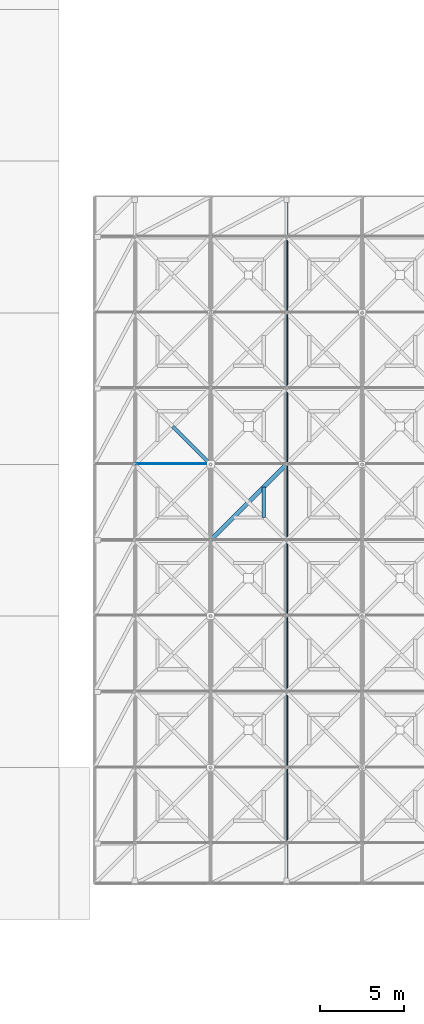
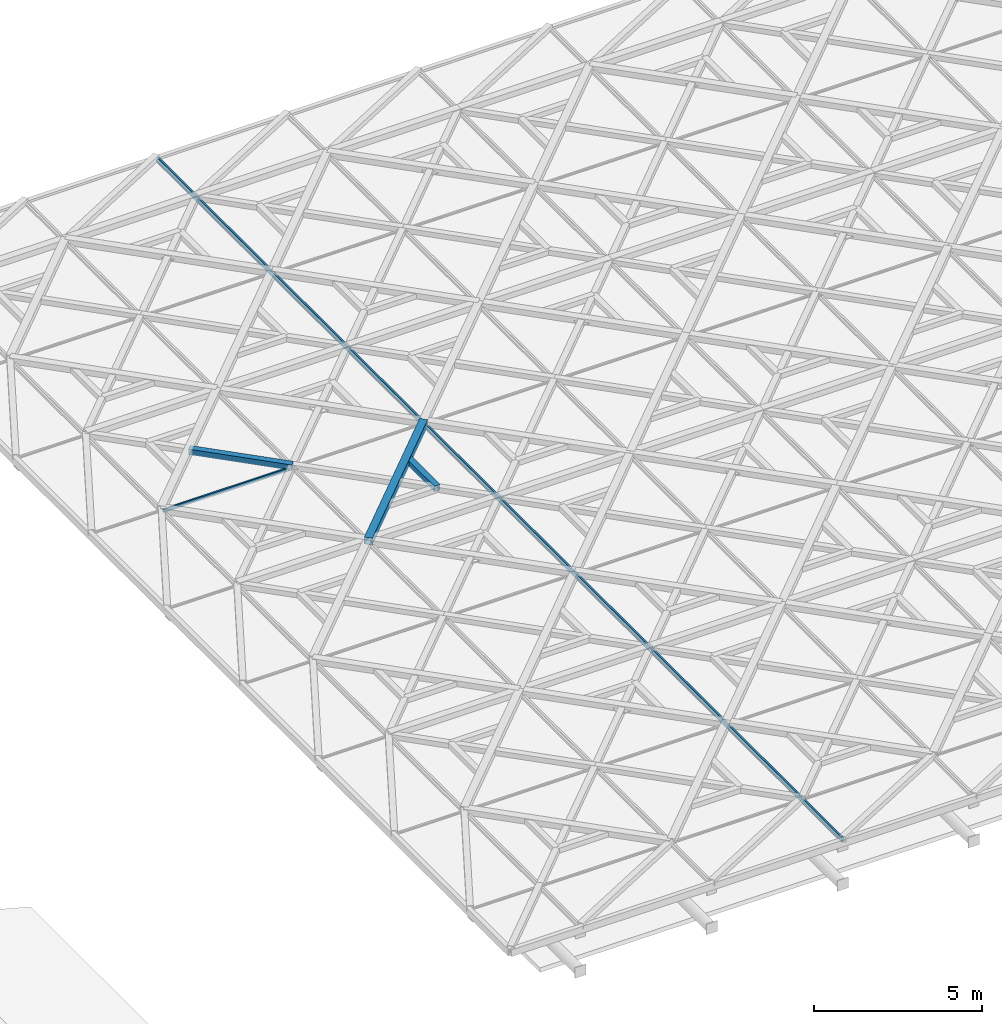
# One storey, part 13 of 80: 5 members, 2 elements without a shape of their own.
"""IFC4 building model written with IfcOpenShell, lengths in metres."""

from ifc_helpers import new_model, si_unit, direction, frame, origin, origin_2d, place, context, subcontext, project, spatial, rectangle, hollow_rectangle, extrude, material, material_profile, profile_set, type_object, element, aggregate, save


model = new_model("IFC4")

# Units and contexts
model_context = context("Model", 3, precision=1e-05, world=origin(), true_north=direction((0.0, 1.0)))
body_context = subcontext(model_context, "Body", "Model", "MODEL_VIEW")
ifc_project = project(units=[si_unit("LENGTHUNIT", "METRE"), si_unit("AREAUNIT", "SQUARE_METRE"), si_unit("VOLUMEUNIT", "CUBIC_METRE"), si_unit("PLANEANGLEUNIT", "RADIAN"), si_unit("MASSUNIT", "GRAM", prefix="KILO"), si_unit("THERMODYNAMICTEMPERATUREUNIT", "KELVIN"), si_unit("POWERUNIT", "WATT")], contexts=[model_context])

# Site, building, storey
site_placement = place(None, origin())
site = spatial("IfcSite", under=ifc_project, at=site_placement, CompositionType="ELEMENT")
building_placement = place(site_placement, origin())
building = spatial("IfcBuilding", under=site, at=building_placement, Name="Tallowbark Science Centre", CompositionType="ELEMENT")
storey_placement = place(building_placement, frame((0.0, 0.0, 25.949951171875)))
storey = spatial("IfcBuildingStorey", under=building, at=storey_placement, Name="ROOF", CompositionType="ELEMENT", Elevation=25.949951171875)

# Curtain wall, member
ifc_material_1 = material(Name="Blue-Tinted Laminated Low-E Skylight Glass", Category="glass")
curtain_wall_type = type_object("IfcCurtainWallType", Name="CW-SKY-ROOF", PredefinedType="NOTDEFINED", material=ifc_material_1)
curtain_wall_1_placement = place(storey_placement, origin())
curtain_wall_1 = element("IfcCurtainWall", 1, at=curtain_wall_1_placement, inside=storey, type_object=curtain_wall_type, Name="Exhibition Star-Screen Skylight Bay 4", PredefinedType="NOTDEFINED")
ifc_material_2 = material(Name="Anodised Architectural Aluminium Alloy 6063-T6", Category="aluminium")
ifc_material_profile_1 = material_profile(ifc_material_2, rectangle(XDim=0.06494140625, YDim=0.179931640625, at=origin_2d()), Name="ALU65x180")
ifc_profile_set_1 = profile_set([ifc_material_profile_1], Name="Anodised Architectural Aluminium Alloy 6063-T6")
member_type_1 = type_object("IfcMemberType", Name="CWM-SKY-MUL", PredefinedType="MULLION", material=ifc_profile_set_1)
member_1_placement = place(storey_placement, frame((67.5400390625, 2.14990234375, 0.35205078125), z_axis=(0.0, 1.0, 0.0), x_axis=(-1.0, 0.0, 0.0)))
member_1 = element("IfcMember", 2, at=member_1_placement, type_object=member_type_1, Name="Skylight Bay 4 Mullion W", PredefinedType="MULLION", context=body_context, shape_type="SweptSolid", body=[
    extrude(rectangle(XDim=0.06494140625, YDim=0.179931640625, at=origin_2d()), origin(), (0.0, 0.0, 1.0), 40.7001953125),
])
aggregate(curtain_wall_1, [member_1])

curtain_wall_2_placement = place(storey_placement, origin())
curtain_wall_2 = element("IfcCurtainWall", 3, at=curtain_wall_2_placement, inside=storey, type_object=curtain_wall_type, Name="Exhibition Star-Screen Skylight Bay 2", PredefinedType="NOTDEFINED")
ifc_material_profile_2 = material_profile(ifc_material_2, rectangle(XDim=0.054931640625, YDim=0.1201171875, at=origin_2d()), Name="ALU55x120")
ifc_profile_set_2 = profile_set([ifc_material_profile_2], Name="Anodised Architectural Aluminium Alloy 6063-T6")
member_type_2 = type_object("IfcMemberType", Name="CWM-SKY-TRN", PredefinedType="USERDEFINED", material=ifc_profile_set_2)
member_2_placement = place(storey_placement, frame((58.580078125, 27.0400390625, 0.35205078125), z_axis=(1.0, 0.0, 0.0), x_axis=(0.0, 1.0, 0.0)))
member_2 = element("IfcMember", 4, at=member_2_placement, type_object=member_type_2, Name="Skylight Bay 2 Transom 7", ObjectType="TRANSOM", PredefinedType="USERDEFINED", context=body_context, shape_type="SweptSolid", body=[
    extrude(rectangle(XDim=0.054931640625, YDim=0.1201171875, at=origin_2d()), origin(), (0.0, 0.0, 1.0), 4.33984375),
])
aggregate(curtain_wall_2, [member_2])

# Members
ifc_material_3 = material(Name="White Architectural Painted Steel Grade C350L0 (350 MPa)", Category="steel")
ifc_material_profile_3 = material_profile(ifc_material_3, hollow_rectangle(XDim=0.25, YDim=0.25, WallThickness=0.009033203125, at=origin_2d()), Name="250x250x9.0SHS")
ifc_profile_set_3 = profile_set([ifc_material_profile_3], Name="White Architectural Painted Steel Grade C350L0 (350 MPa)")
member_type_3 = type_object("IfcMemberType", Name="SCR-CHD200", PredefinedType="CHORD", material=ifc_profile_set_3)
member_3_placement = place(storey_placement, frame((63.0, 22.5, 0.449951171875), z_axis=(0.707106781187, 0.707106781187, 0.0), x_axis=(-0.707106781187, 0.707106781187, 0.0)))
element("IfcMember", 5, at=member_3_placement, inside=storey, type_object=member_type_3, Name="Star Screen Octagram Diamond Chord TOP-56-1", PredefinedType="CHORD", context=body_context, shape_type="SweptSolid", body=[
    extrude(hollow_rectangle(XDim=0.25, YDim=0.25, WallThickness=0.009033203125, at=origin_2d()), origin(), (0.0, 0.0, 1.0), 6.364013671875),
])
ifc_material_profile_4 = material_profile(ifc_material_3, hollow_rectangle(XDim=0.199951171875, YDim=0.199951171875, WallThickness=0.009033203125, at=origin_2d()), Name="200x200x9.0SHS")
ifc_profile_set_4 = profile_set([ifc_material_profile_4], Name="White Architectural Painted Steel Grade C350L0 (350 MPa)")
member_type_4 = type_object("IfcMemberType", Name="SCR-STAR139", PredefinedType="BRACE", material=ifc_profile_set_4)
member_4_placement = place(storey_placement, frame((60.75, 29.25, 0.449951171875), z_axis=(0.707106781187, -0.707106781187, 0.0), x_axis=(0.707106781187, 0.707106781187, 0.0)))
element("IfcMember", 6, at=member_4_placement, inside=storey, type_object=member_type_4, Name="Star Screen Split X-Diagonal D2B TOP-56", PredefinedType="BRACE", context=body_context, shape_type="SweptSolid", body=[
    extrude(hollow_rectangle(XDim=0.199951171875, YDim=0.199951171875, WallThickness=0.009033203125, at=origin_2d()), origin(), (0.0, 0.0, 1.0), 3.181884765625),
])
ifc_material_profile_5 = material_profile(ifc_material_3, hollow_rectangle(XDim=0.199951171875, YDim=0.199951171875, WallThickness=0.009033203125, at=origin_2d()), Name="200x200x9.0SHS")
ifc_profile_set_5 = profile_set([ifc_material_profile_5], Name="White Architectural Painted Steel Grade C350L0 (350 MPa)")
member_type_5 = type_object("IfcMemberType", Name="SCR-SUB150", PredefinedType="BRACE", material=ifc_profile_set_5)
member_5_placement = place(storey_placement, frame((66.14990234375, 23.85009765625, 0.449951171875), z_axis=(0.0, 1.0, 0.0), x_axis=(-1.0, 0.0, 0.0)))
element("IfcMember", 7, at=member_5_placement, inside=storey, type_object=member_type_5, Name="Star Screen Octagram Point Ray TOP-56-4", PredefinedType="BRACE", context=body_context, shape_type="SweptSolid", body=[
    extrude(hollow_rectangle(XDim=0.199951171875, YDim=0.199951171875, WallThickness=0.009033203125, at=origin_2d()), origin(), (0.0, 0.0, 1.0), 1.7998046875),
])

save(model, "model.ifc")
